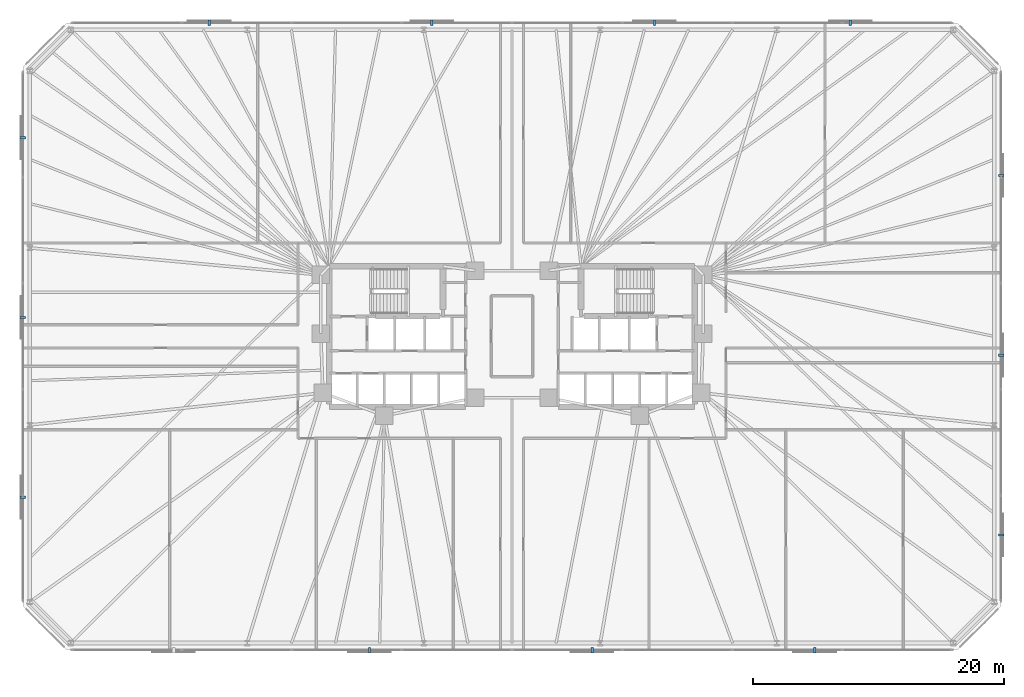
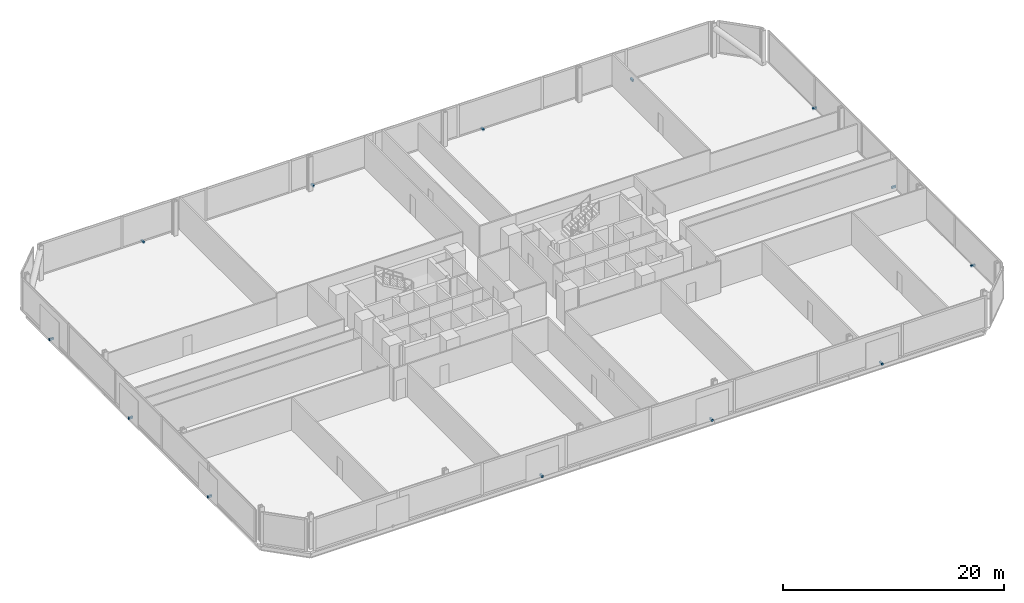
# One storey, part 16 of 17: 13 discrete accessories.
"""IFC4 building model written with IfcOpenShell, lengths in metres."""

import ifcopenshell
import ifcopenshell.guid

model = None  # the IFC model being written
_history = None  # IfcOwnerHistory: only IFC2X3 demands one
_inside = {}  # id of a spatial element -> (the spatial element, [elements in it])
_under = {}  # id of a project, library or spatial element -> (it, [spatial elements below it])
_declared = {}  # id of a project -> (the project, [libraries it declares])
_typed = {}  # id of a type object -> (the type object, [elements of that type])
_made_of = {}  # id of a material, layer set ... -> (it, [elements and type objects made of it])


def new_model(schema):
    """Start an empty IFC model of exactly this schema.

    Asked for "IFC4X3", IfcOpenShell would pick the latest addendum, in which some entities
    have other attributes; the version numbers below select the first issue.
    IFC2X3 requires an IfcOwnerHistory on every rooted entity: one is made here for all.
    """
    global model, _history
    if schema == "IFC4X3":
        model = ifcopenshell.file(schema_version=(4, 3, 0, 0))
    else:
        model = ifcopenshell.file(schema=schema)
    _inside.clear()
    _under.clear()
    _declared.clear()
    _typed.clear()
    _made_of.clear()
    _history = None
    if model.schema == "IFC2X3":
        org = make("IfcOrganization", Name="unknown")
        user = make(
            "IfcPersonAndOrganization",
            ThePerson=make("IfcPerson", FamilyName="unknown"),
            TheOrganization=org,
        )
        app = make(
            "IfcApplication",
            ApplicationDeveloper=org,
            Version="unknown",
            ApplicationFullName="unknown",
            ApplicationIdentifier="unknown",
        )
        _history = make(
            "IfcOwnerHistory",
            OwningUser=user,
            OwningApplication=app,
            ChangeAction="ADDED",
            CreationDate=0,
        )
    return model


def make(cls, **values):
    """One entity of the class cls with the attributes given. An attribute that is None is left unset."""
    return model.create_entity(
        cls, **{name: value for name, value in values.items() if value is not None}
    )


def rooted(cls, **values):
    """An entity with a GlobalId (a new one), such as an element, a storey or a relation."""
    return make(cls, GlobalId=ifcopenshell.guid.new(), OwnerHistory=_history, **values)


def si_unit(unit_type, name, prefix=None):
    """IfcSIUnit, for example si_unit("LENGTHUNIT", "METRE", prefix="MILLI")."""
    return make("IfcSIUnit", UnitType=unit_type, Prefix=prefix, Name=name)


def assignment(units):
    """IfcUnitAssignment: the units of a project."""
    return None if units is None else make("IfcUnitAssignment", Units=units)


def point(xyz):
    """IfcCartesianPoint."""
    return None if xyz is None else make("IfcCartesianPoint", Coordinates=xyz)


def direction(xyz):
    """IfcDirection."""
    return None if xyz is None else make("IfcDirection", DirectionRatios=xyz)


def frame(location, z_axis=None, x_axis=None):
    """IfcAxis2Placement3D, a coordinate frame: its origin and axes. An axis left out is left unset."""
    return make(
        "IfcAxis2Placement3D",
        Location=point(location),
        Axis=direction(z_axis),
        RefDirection=direction(x_axis),
    )


def frame_2d(location, x_axis=None):
    """IfcAxis2Placement2D, a coordinate frame in the plane: its origin and x axis."""
    return make(
        "IfcAxis2Placement2D", Location=point(location), RefDirection=direction(x_axis)
    )


def origin():
    """The frame at (0, 0, 0) with its axes left unset."""
    return frame((0.0, 0.0, 0.0))


def origin_2d():
    """The frame at (0, 0) in the plane with its x axis left unset."""
    return frame_2d((0.0, 0.0))


def place(relative_to, where):
    """IfcLocalPlacement: puts the frame where relative to a parent placement (None: the world)."""
    return make(
        "IfcLocalPlacement", PlacementRelTo=relative_to, RelativePlacement=where
    )


def context(
    kind, dimensions, precision=None, world=None, true_north=None, identifier=None
):
    """IfcGeometricRepresentationContext, for example the 3D "Model" context."""
    return make(
        "IfcGeometricRepresentationContext",
        ContextIdentifier=identifier,
        ContextType=kind,
        CoordinateSpaceDimension=dimensions,
        Precision=precision,
        WorldCoordinateSystem=world,
        TrueNorth=true_north,
    )


def subcontext(parent, identifier, kind, view, scale=None):
    """IfcGeometricRepresentationSubContext, for example "Body" below "Model"."""
    return make(
        "IfcGeometricRepresentationSubContext",
        ContextIdentifier=identifier,
        ContextType=kind,
        ParentContext=parent,
        TargetScale=scale,
        TargetView=view,
    )


def project(units=None, contexts=None):
    """IfcProject with its units and contexts."""
    return rooted(
        "IfcProject",
        Name="project",
        RepresentationContexts=contexts,
        UnitsInContext=assignment(units),
    )


def spatial(cls, under=None, at=None, **own):
    """A site, building, storey or space (cls), placed at a placement, below another one or the project."""
    s = rooted(cls, ObjectPlacement=at, **own)
    if under is not None:
        _under.setdefault(under.id(), (under, []))[1].append(s)
    return s


def profile(cls, at=None, kind="AREA", **sizes):
    """A parametric profile (cls). Its sizes go by their IFC names, for example OverallWidth=200.0."""
    return make(cls, ProfileType=kind, Position=at, **sizes)


def rectangle(**sizes):
    """IfcRectangleProfileDef."""
    return profile("IfcRectangleProfileDef", **sizes)


def extrude(swept, where, along, depth):
    """IfcExtrudedAreaSolid: the profile swept, set in the frame where, extruded along a direction by depth."""
    return make(
        "IfcExtrudedAreaSolid",
        SweptArea=swept,
        Position=where,
        ExtrudedDirection=direction(along),
        Depth=depth,
    )


def shape(context_of_items, identifier, shape_type, items):
    """IfcShapeRepresentation: the items that make up one representation, for example the "Body"."""
    return make(
        "IfcShapeRepresentation",
        ContextOfItems=context_of_items,
        RepresentationIdentifier=identifier,
        RepresentationType=shape_type,
        Items=items,
    )


def material(Name=None, Category=None):
    """IfcMaterial."""
    return make("IfcMaterial", Name=Name, Category=Category)


def made_of(thing, what):
    """Note that an element or type object is made of a material, layer set ...; save() writes the relation."""
    if what is not None:
        _made_of.setdefault(what.id(), (what, []))[1].append(thing)
    return thing


def type_object(cls, material=None, **own):
    """A type object (cls), such as IfcWallType, which elements share."""
    return made_of(rooted(cls, **own), material)


def element(
    cls,
    number,
    at=None,
    inside=None,
    cuts=None,
    type_object=None,
    material=None,
    context=None,
    identifier="Body",
    shape_type=None,
    held_by="IfcProductDefinitionShape",
    body=None,
    shapes=None,
    **own,
):
    """One element of the class cls, such as IfcWall. Its Tag is "e" and its number.

    at: its placement. inside: the storey or other place that contains it. cuts: it is an
    opening in that element (IfcRelVoidsElement). A single representation is given by context,
    identifier, shape_type and body (its items); several are given by shapes. held_by: the class
    of the entity that holds the representations. save() writes the other relations.
    """
    e = rooted(cls, Tag="e%d" % number, ObjectPlacement=at, **own)
    if body is not None:
        shapes = [shape(context, identifier, shape_type, body)]
    if shapes is not None:
        e.Representation = make(held_by, Representations=shapes)
    if inside is not None:
        _inside.setdefault(inside.id(), (inside, []))[1].append(e)
    if cuts is not None:
        rooted(
            "IfcRelVoidsElement", RelatingBuildingElement=cuts, RelatedOpeningElement=e
        )
    if type_object is not None:
        _typed.setdefault(type_object.id(), (type_object, []))[1].append(e)
    return made_of(e, material)


def aggregate(whole, parts):
    """IfcRelAggregates: a whole, such as a stair, and the parts it consists of."""
    return rooted("IfcRelAggregates", RelatingObject=whole, RelatedObjects=parts)


def save(model, path):
    """Write the relations noted so far, then the file.

    IfcRelAggregates (storeys below a building ...), IfcRelContainedInSpatialStructure (elements
    in a storey), IfcRelDefinesByType, IfcRelAssociatesMaterial and IfcRelDeclares: one each for
    every whole, place, type object, material and project.
    """
    for whole, parts in _under.values():
        aggregate(whole, parts)
    for where, things in _inside.values():
        rooted(
            "IfcRelContainedInSpatialStructure",
            RelatedElements=things,
            RelatingStructure=where,
        )
    for kind, things in _typed.values():
        rooted("IfcRelDefinesByType", RelatedObjects=things, RelatingType=kind)
    for what, things in _made_of.values():
        rooted("IfcRelAssociatesMaterial", RelatedObjects=things, RelatingMaterial=what)
    for by, libraries in _declared.values():
        rooted("IfcRelDeclares", RelatingContext=by, RelatedDefinitions=libraries)
    model.write(path)


model = new_model("IFC4")

# Units and contexts
model_context = context("Model", 3, precision=1e-05, world=origin(), true_north=direction((0.0, 1.0)))
body_context = subcontext(model_context, "Body", "Model", "MODEL_VIEW")
ifc_project = project(units=[si_unit("LENGTHUNIT", "METRE"), si_unit("AREAUNIT", "SQUARE_METRE"), si_unit("VOLUMEUNIT", "CUBIC_METRE"), si_unit("PLANEANGLEUNIT", "RADIAN"), si_unit("MASSUNIT", "GRAM", prefix="KILO")], contexts=[model_context])

# Site, building, storey
site_placement = place(None, origin())
site = spatial("IfcSite", under=ifc_project, at=site_placement, CompositionType="ELEMENT")
building_placement = place(site_placement, origin())
building = spatial("IfcBuilding", under=site, at=building_placement, Name="Menara Jurai Vektor", CompositionType="ELEMENT")
storey_placement = place(building_placement, frame((0.0, 0.0, 29.39990234375)))
storey = spatial("IfcBuildingStorey", under=building, at=storey_placement, Name="L06", CompositionType="ELEMENT", Elevation=29.39990234375)

# Discrete accessories
ifc_material = material(Name="Steel S355", Category="steel")
discrete_accessory_type = type_object("IfcDiscreteAccessoryType", Name="ENV-ACC-BRACKET", PredefinedType="BRACKET", material=ifc_material)
for number, where, z_axis, x_axis, name in (
    (1, (-11.360107421875, -25.010009765625, -0.1298828125), (0.0, 0.0, 1.0), (1.0, 0.0, 0.0), "Solar Screen Stand-Off Bracket L06-S02"),
    (2, (6.389892578125, -25.010009765625, -0.1298828125), (0.0, 0.0, 1.0), (1.0, 0.0, 0.0), "Solar Screen Stand-Off Bracket L06-S03"),
    (3, (24.139892578125, -25.010009765625, -0.1298828125), (0.0, 0.0, 1.0), (1.0, 0.0, 0.0), "Solar Screen Stand-Off Bracket L06-S04"),
    (4, (39.010009765625, -15.83837890625, -0.1298828125), (0.0, 0.0, 1.0), (0.0, 1.0, 0.0), "Solar Screen Stand-Off Bracket L06-S05"),
    (5, (39.010009765625, -1.5048828125, -0.1298828125), (0.0, 0.0, 1.0), (0.0, 1.0, 0.0), "Solar Screen Stand-Off Bracket L06-S06"),
    (6, (39.010009765625, 12.828369140625, -0.1298828125), (0.0, 0.0, 1.0), (0.0, 1.0, 0.0), "Solar Screen Stand-Off Bracket L06-S07"),
    (7, (26.97998046875, 25.010009765625, -0.1298828125), (0.0, 0.0, 1.0), (-1.0, 0.0, 0.0), "Solar Screen Stand-Off Bracket L06-S08"),
    (8, (11.360107421875, 25.010009765625, -0.1298828125), (0.0, 0.0, 1.0), (-1.0, 0.0, 0.0), "Solar Screen Stand-Off Bracket L06-S09"),
    (9, (-6.389892578125, 25.010009765625, -0.1298828125), (0.0, 0.0, 1.0), (-1.0, 0.0, 0.0), "Solar Screen Stand-Off Bracket L06-S10"),
    (10, (-24.139892578125, 25.010009765625, -0.1298828125), (0.0, 0.0, 1.0), (-1.0, 0.0, 0.0), "Solar Screen Stand-Off Bracket L06-S11"),
    (11, (-39.010009765625, 15.83837890625, -0.1298828125), (0.0, 0.0, 1.0), (0.0, -1.0, 0.0), "Solar Screen Stand-Off Bracket L06-S12"),
    (12, (-39.010009765625, 1.5048828125, -0.1298828125), (0.0, 0.0, 1.0), (0.0, -1.0, 0.0), "Solar Screen Stand-Off Bracket L06-S13"),
    (13, (-39.010009765625, -12.828369140625, -0.1298828125), (0.0, 0.0, 1.0), (0.0, -1.0, 0.0), "Solar Screen Stand-Off Bracket L06-S14"),
):
    element("IfcDiscreteAccessory", number, at=place(storey_placement, frame(where, z_axis=z_axis, x_axis=x_axis)), inside=storey, type_object=discrete_accessory_type, Name=name, PredefinedType="BRACKET", context=body_context, shape_type="SweptSolid", body=[
        extrude(rectangle(XDim=0.179931640625, YDim=0.43994140625, at=origin_2d()), origin(), (0.0, 0.0, 1.0), 0.219970703125),
    ])

save(model, "model.ifc")
